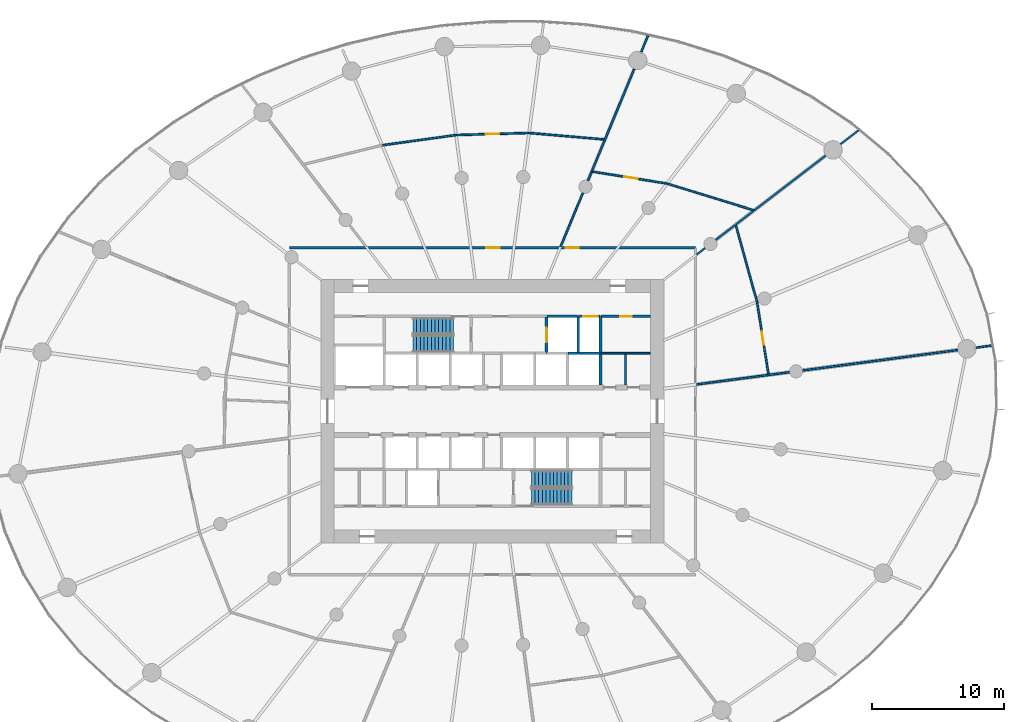
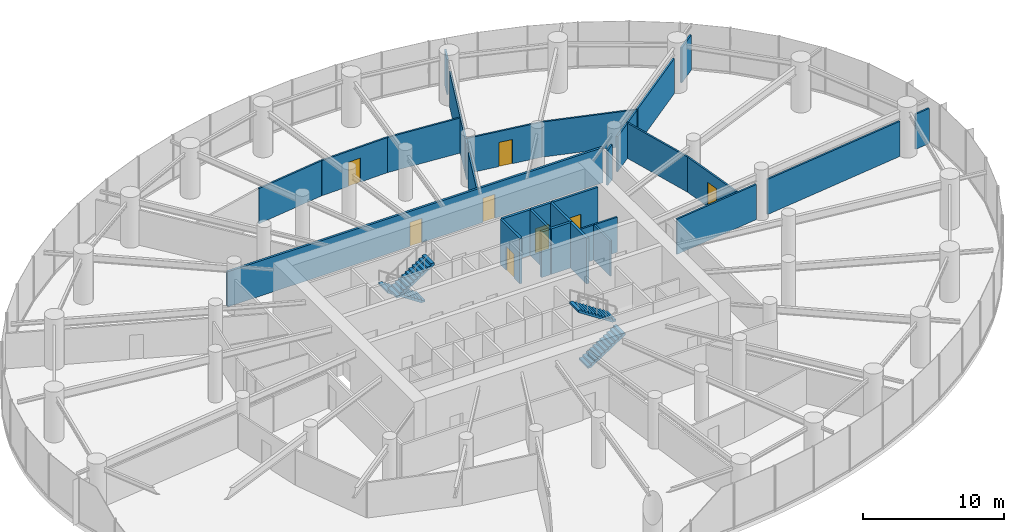
# One storey, part 14 of 17: 32 walls, 8 doors, 4 stair flights, 8 openings, 2 elements without a shape of their own.
"""IFC4 building model written with IfcOpenShell, lengths in metres."""

from ifc_helpers import new_model, si_unit, direction, frame, frame_2d, origin, place, context, subcontext, project, spatial, line, indexed_curve, rectangle, outline, extrude, source, transform, mapped, material, layer, layer_set, type_object, element, fill, aggregate, save


model = new_model("IFC4")

# Units and contexts
model_context = context("Model", 3, precision=1e-05, world=origin(), true_north=direction((0.0, 1.0)))
body_context = subcontext(model_context, "Body", "Model", "MODEL_VIEW")
ifc_project = project(units=[si_unit("LENGTHUNIT", "METRE"), si_unit("AREAUNIT", "SQUARE_METRE"), si_unit("VOLUMEUNIT", "CUBIC_METRE"), si_unit("PLANEANGLEUNIT", "RADIAN"), si_unit("MASSUNIT", "GRAM", prefix="KILO")], contexts=[model_context])

# Site, building, storey
site_placement = place(None, origin())
site = spatial("IfcSite", under=ifc_project, at=site_placement, CompositionType="ELEMENT")
building_placement = place(site_placement, origin())
building = spatial("IfcBuilding", under=site, at=building_placement, Name="Spindrift Exchange Tower", CompositionType="ELEMENT")
storey_placement = place(building_placement, frame((0.0, 0.0, 35.800048828125)))
storey = spatial("IfcBuildingStorey", under=building, at=storey_placement, Name="L08", CompositionType="ELEMENT", Elevation=35.800048828125)

# Wall, opening, door
ifc_material_1 = material(Name="Fire-rated plasterboard partition", Category="gypsum")
ifc_layer_1 = layer(ifc_material_1, 0.179931640625)
ifc_layer_set_1 = layer_set([ifc_layer_1], Name="W-CORR-180")
wall_type_1 = type_object("IfcWallType", Name="W-CORR-180", PredefinedType="PARTITIONING", material=ifc_layer_set_1)
wall_1_placement = place(storey_placement, frame((63.97998046875, 55.199951171875, 0.0), z_axis=(0.0, 0.0, 1.0), x_axis=(-1.0, 0.0, 0.0)))
wall_1 = element("IfcWall", 1, at=wall_1_placement, inside=storey, type_object=wall_type_1, Name="L08 Partition wall 64", PredefinedType="PARTITIONING", context=body_context, shape_type="SweptSolid", body=[
    extrude(rectangle(XDim=3.75, YDim=0.179931640625, at=frame_2d((1.875, 0.0))), origin(), (0.0, 0.0, 1.0), 3.949951171875),
])
opening_1_placement = place(wall_1_placement, frame((1.39990234375, 0.0, 0.0)))
opening_1 = element("IfcOpeningElement", 2, at=opening_1_placement, cuts=wall_1, Name="Opening L08-D47", PredefinedType="OPENING", context=body_context, shape_type="SweptSolid", body=[
    extrude(rectangle(XDim=0.89990234375, YDim=2.10009765625, at=frame_2d((0.449951171875, 1.050048828125))), frame((0.0, 0.099853515625, 0.0), z_axis=(0.0, -1.0, 0.0), x_axis=(1.0, 0.0, 0.0)), (0.0, 0.0, 1.0), 0.199951171875),
])
ifc_material_2 = material(Name="Steel access door", Category="steel")
door_type_1 = type_object("IfcDoorType", Name="DR-RISER-900", OperationType="NOTDEFINED", PredefinedType="DOOR", material=ifc_material_2)
shared_shape_1 = source(origin(), body_context, "Body", "SweptSolid", [
    extrude(rectangle(XDim=0.89990234375, YDim=2.10009765625, at=frame_2d((0.449951171875, 1.050048828125))), frame((0.0, 0.02490234375, 0.0), z_axis=(0.0, -1.0, 0.0), x_axis=(1.0, 0.0, 0.0)), (0.0, 0.0, 1.0), 0.050048828125),
])
door_1_placement = place(opening_1_placement, origin())
door_1 = element("IfcDoor", 3, at=door_1_placement, inside=storey, type_object=door_type_1, Name="L08 Riser door 47", OperationType="SINGLE_SWING_RIGHT", OverallHeight=2.10009765625, OverallWidth=0.89990234375, PredefinedType="DOOR", context=body_context, shape_type="MappedRepresentation", body=[
    mapped(shared_shape_1, transform((0.0, 0.0, 0.0), scale=1.0)),
])
fill(opening_1, door_1)

# Walls
ifc_layer_2 = layer(ifc_material_1, 0.139892578125)
ifc_layer_set_2 = layer_set([ifc_layer_2], Name="W-PART-140")
wall_type_2 = type_object("IfcWallType", Name="W-PART-140", PredefinedType="PARTITIONING", material=ifc_layer_set_2)
wall_2_placement = place(storey_placement, frame((75.533935546875, 51.098388671875, 0.0), z_axis=(0.0, 0.0, 1.0), x_axis=(0.991446586451, 0.130513088287, 0.0)))
element("IfcWall", 4, at=wall_2_placement, inside=storey, type_object=wall_type_2, Name="L08 Partition wall 66", PredefinedType="PARTITIONING", context=body_context, shape_type="SweptSolid", body=[
    extrude(rectangle(XDim=11.85986328125, YDim=0.139892578125, at=frame_2d((5.929931640625, 0.0))), origin(), (0.0, 0.0, 1.0), 3.050048828125),
])
wall_3_placement = place(storey_placement, frame((59.5341796875, 66.189453125, 0.0), z_axis=(0.0, 0.0, 1.0), x_axis=(0.382683346226, 0.923879568191, 0.0)))
element("IfcWall", 5, at=wall_3_placement, inside=storey, type_object=wall_type_2, Name="L08 Partition wall 72", PredefinedType="PARTITIONING", context=body_context, shape_type="SweptSolid", body=[
    extrude(rectangle(XDim=8.410888671875, YDim=0.139892578125, at=frame_2d((4.20556640625, 0.0))), origin(), (0.0, 0.0, 1.0), 3.050048828125),
])
wall_4_placement = place(storey_placement, frame((71.879150390625, 63.25390625, 0.0), z_axis=(0.0, 0.0, 1.0), x_axis=(0.793367765852, 0.60874262879, 0.0)))
element("IfcWall", 6, at=wall_4_placement, inside=storey, type_object=wall_type_2, Name="L08 Partition wall 76", PredefinedType="PARTITIONING", context=body_context, shape_type="SweptSolid", body=[
    extrude(rectangle(XDim=6.803466796875, YDim=0.139892578125, at=frame_2d((3.40185546875, 0.0))), origin(), (0.0, 0.0, 1.0), 3.050048828125),
])
wall_5_placement = place(storey_placement, frame((60.4658203125, 68.62109375, 0.0), z_axis=(0.0, 0.0, 1.0), x_axis=(-0.996319143807, 0.085721430714, 0.0)))
element("IfcWall", 7, at=wall_5_placement, inside=storey, type_object=wall_type_2, Name="L08 Partition wall 84", PredefinedType="PARTITIONING", context=body_context, shape_type="SweptSolid", body=[
    extrude(rectangle(XDim=5.70751953125, YDim=0.139892578125, at=frame_2d((2.853759765625, 0.0))), origin(), (0.0, 0.0, 1.0), 3.050048828125),
])
wall_6_placement = place(storey_placement, frame((49.241455078125, 68.952880859375, 0.0), z_axis=(0.0, 0.0, 1.0), x_axis=(-0.990610386305, -0.136715260835, 0.0)))
element("IfcWall", 8, at=wall_6_placement, inside=storey, type_object=wall_type_2, Name="L08 Partition wall 85", PredefinedType="PARTITIONING", context=body_context, shape_type="SweptSolid", body=[
    extrude(rectangle(XDim=5.623291015625, YDim=0.139892578125, at=frame_2d((2.8115234375, 0.0))), origin(), (0.0, 0.0, 1.0), 3.050048828125),
])

# Wall, opening, door
wall_7_placement = place(storey_placement, frame((49.271484375, 68.953857421875, 0.0), z_axis=(0.0, 0.0, 1.0), x_axis=(0.999597230245, 0.028379169928, 0.0)))
wall_7 = element("IfcWall", 9, at=wall_7_placement, inside=storey, type_object=wall_type_2, Name="L08 Partition wall 88", PredefinedType="PARTITIONING", context=body_context, shape_type="SweptSolid", body=[
    extrude(rectangle(XDim=5.47998046875, YDim=0.139892578125, at=frame_2d((2.739990234375, 0.0))), origin(), (0.0, 0.0, 1.0), 3.050048828125),
])
opening_2_placement = place(wall_7_placement, frame((2.22998046875, 0.0, 0.0)))
opening_2 = element("IfcOpeningElement", 10, at=opening_2_placement, cuts=wall_7, Name="Opening L08-D39", PredefinedType="OPENING", context=body_context, shape_type="SweptSolid", body=[
    extrude(rectangle(XDim=1.0, YDim=2.10009765625, at=frame_2d((0.5, 1.050048828125))), frame((0.0, 0.079833984375, 0.0), z_axis=(0.0, -1.0, 0.0), x_axis=(1.0, 0.0, 0.0)), (0.0, 0.0, 1.0), 0.159912109375),
])
ifc_material_3 = material(Name="Timber-core fire door", Category="wood")
door_type_2 = type_object("IfcDoorType", Name="DR-ROOM-1000", OperationType="NOTDEFINED", PredefinedType="DOOR", material=ifc_material_3)
shared_shape_2 = source(origin(), body_context, "Body", "SweptSolid", [
    extrude(rectangle(XDim=1.0, YDim=2.10009765625, at=frame_2d((0.5, 1.050048828125))), frame((0.0, 0.02490234375, 0.0), z_axis=(0.0, -1.0, 0.0), x_axis=(1.0, 0.0, 0.0)), (0.0, 0.0, 1.0), 0.050048828125),
])
door_2_placement = place(opening_2_placement, origin())
door_2 = element("IfcDoor", 11, at=door_2_placement, inside=storey, type_object=door_type_2, Name="L08 Door 39", OperationType="SINGLE_SWING_RIGHT", OverallHeight=2.10009765625, OverallWidth=1.0, PredefinedType="DOOR", context=body_context, shape_type="MappedRepresentation", body=[
    mapped(shared_shape_2, transform((0.0, 0.0, 0.0), scale=1.0)),
])
fill(opening_2, door_2)

# Walls
wall_8_placement = place(storey_placement, frame((62.10009765625, 50.010009765625, 0.0), z_axis=(0.0, 0.0, 1.0), x_axis=(0.0, 1.0, 0.0)))
element("IfcWall", 12, at=wall_8_placement, inside=storey, type_object=wall_type_2, Name="L08 Partition wall 100", PredefinedType="PARTITIONING", context=body_context, shape_type="SweptSolid", body=[
    extrude(rectangle(XDim=2.389892578125, YDim=0.139892578125, at=frame_2d((1.19482421875, 0.0))), origin(), (0.0, 0.0, 1.0), 3.050048828125),
])
wall_9_placement = place(storey_placement, frame((62.070068359375, 52.39990234375, 0.0), z_axis=(0.0, 0.0, 1.0), x_axis=(-1.0, 0.0, 0.0)))
element("IfcWall", 13, at=wall_9_placement, inside=storey, type_object=wall_type_2, Name="L08 Partition wall 109", PredefinedType="PARTITIONING", context=body_context, shape_type="SweptSolid", body=[
    extrude(rectangle(XDim=1.840087890625, YDim=0.139892578125, at=frame_2d((0.919921875, 0.0))), origin(), (0.0, 0.0, 1.0), 3.050048828125),
])
wall_10_placement = place(storey_placement, frame((63.97998046875, 52.39990234375, 0.0), z_axis=(0.0, 0.0, 1.0), x_axis=(-1.0, 0.0, 0.0)))
element("IfcWall", 14, at=wall_10_placement, inside=storey, type_object=wall_type_2, Name="L08 Partition wall 112", PredefinedType="PARTITIONING", context=body_context, shape_type="SweptSolid", body=[
    extrude(rectangle(XDim=1.85009765625, YDim=0.139892578125, at=frame_2d((0.925048828125, 0.0))), origin(), (0.0, 0.0, 1.0), 3.050048828125),
])
wall_11_placement = place(storey_placement, frame((78.394287109375, 68.253173828125, 0.0), z_axis=(0.0, 0.0, 1.0), x_axis=(0.793373884705, 0.608734654071, 0.0)))
element("IfcWall", 15, at=wall_11_placement, inside=storey, type_object=wall_type_2, Name="L08 Partition wall 114", PredefinedType="PARTITIONING", context=body_context, shape_type="SweptSolid", body=[
    extrude(rectangle(XDim=1.741455078125, YDim=0.139892578125, at=frame_2d((0.87060546875, 0.0))), origin(), (0.0, 0.0, 1.0), 3.050048828125),
])
wall_12_placement = place(storey_placement, frame((63.29248046875, 75.2626953125, 0.0), z_axis=(0.0, 0.0, 1.0), x_axis=(0.382814774468, 0.923825117892, 0.0)))
element("IfcWall", 16, at=wall_12_placement, inside=storey, type_object=wall_type_2, Name="L08 Partition wall 116", PredefinedType="PARTITIONING", context=body_context, shape_type="SweptSolid", body=[
    extrude(rectangle(XDim=1.319580078125, YDim=0.139892578125, at=frame_2d((0.65966796875, 0.0))), origin(), (0.0, 0.0, 1.0), 3.050048828125),
])
wall_13_placement = place(storey_placement, frame((88.688720703125, 52.830078125, 0.0), z_axis=(0.0, 0.0, 1.0), x_axis=(0.991431129538, 0.130630453508, 0.0)))
element("IfcWall", 17, at=wall_13_placement, inside=storey, type_object=wall_type_2, Name="L08 Partition wall 117", PredefinedType="PARTITIONING", context=body_context, shape_type="SweptSolid", body=[
    extrude(rectangle(XDim=1.220458984375, YDim=0.139892578125, at=frame_2d((0.6103515625, 0.0))), origin(), (0.0, 0.0, 1.0), 3.050048828125),
])
ifc_layer_3 = layer(ifc_material_1, 0.139892578125)
ifc_layer_set_3 = layer_set([ifc_layer_3], Name="W-PLANT-140")
wall_type_3 = type_object("IfcWallType", Name="W-PLANT-140", PredefinedType="PARTITIONING", material=ifc_layer_set_3)
wall_14_placement = place(storey_placement, frame((74.53369140625, 50.966552734375, 0.0), z_axis=(0.0, 0.0, 1.0), x_axis=(-0.99144622305, -0.130515848849, 0.0)))
element("IfcWall", 18, at=wall_14_placement, inside=storey, type_object=wall_type_3, Name="L08 Partition wall 73", PredefinedType="PARTITIONING", context=body_context, shape_type="SweptSolid", body=[
    extrude(rectangle(XDim=7.1044921875, YDim=0.139892578125, at=frame_2d((3.55224609375, 0.0))), origin(), (0.0, 0.0, 1.0), 3.050048828125),
])
wall_15_placement = place(storey_placement, frame((71.85546875, 63.235595703125, 0.0), z_axis=(0.0, 0.0, 1.0), x_axis=(-0.955628382182, 0.294574939816, 0.0)))
element("IfcWall", 19, at=wall_15_placement, inside=storey, type_object=wall_type_3, Name="L08 Partition wall 74", PredefinedType="PARTITIONING", context=body_context, shape_type="SweptSolid", body=[
    extrude(rectangle(XDim=6.90966796875, YDim=0.139892578125, at=frame_2d((3.454833984375, 0.0))), origin(), (0.0, 0.0, 1.0), 3.050048828125),
])
wall_16_placement = place(storey_placement, frame((72.0693359375, 56.31298828125, 0.0), z_axis=(0.0, 0.0, 1.0), x_axis=(-0.26694408294, 0.963712019528, 0.0)))
element("IfcWall", 20, at=wall_16_placement, inside=storey, type_object=wall_type_3, Name="L08 Partition wall 80", PredefinedType="PARTITIONING", context=body_context, shape_type="SweptSolid", body=[
    extrude(rectangle(XDim=6.064453125, YDim=0.139892578125, at=frame_2d((3.0322265625, 0.0))), origin(), (0.0, 0.0, 1.0), 3.050048828125),
])

# Wall, opening, door
wall_17_placement = place(storey_placement, frame((59.605224609375, 66.177978515625, 0.0), z_axis=(0.0, 0.0, 1.0), x_axis=(0.987350770866, -0.158551112488, 0.0)))
wall_17 = element("IfcWall", 21, at=wall_17_placement, inside=storey, type_object=wall_type_3, Name="L08 Partition wall 82", PredefinedType="PARTITIONING", context=body_context, shape_type="SweptSolid", body=[
    extrude(rectangle(XDim=5.689697265625, YDim=0.139892578125, at=frame_2d((2.8447265625, 0.0))), origin(), (0.0, 0.0, 1.0), 3.050048828125),
])
opening_3_placement = place(wall_17_placement, frame((2.439697265625, 0.0, 0.0)))
opening_3 = element("IfcOpeningElement", 22, at=opening_3_placement, cuts=wall_17, Name="Opening L08-D37", PredefinedType="OPENING", context=body_context, shape_type="SweptSolid", body=[
    extrude(rectangle(XDim=1.0, YDim=2.10009765625, at=frame_2d((0.5, 1.050048828125))), frame((0.0, 0.079833984375, 0.0), z_axis=(0.0, -1.0, 0.0), x_axis=(1.0, 0.0, 0.0)), (0.0, 0.0, 1.0), 0.159912109375),
])
door_3_placement = place(opening_3_placement, origin())
door_3 = element("IfcDoor", 23, at=door_3_placement, inside=storey, type_object=door_type_2, Name="L08 Door 37", OperationType="SINGLE_SWING_RIGHT", OverallHeight=2.10009765625, OverallWidth=1.0, PredefinedType="DOOR", context=body_context, shape_type="MappedRepresentation", body=[
    mapped(shared_shape_2, transform((0.0, 0.0, 0.0), scale=1.0)),
])
fill(opening_3, door_3)

wall_18_placement = place(storey_placement, frame((72.073974609375, 56.283447265625, 0.0), z_axis=(0.0, 0.0, 1.0), x_axis=(0.155785554146, -0.987790899492, 0.0)))
wall_18 = element("IfcWall", 24, at=wall_18_placement, inside=storey, type_object=wall_type_3, Name="L08 Partition wall 86", PredefinedType="PARTITIONING", context=body_context, shape_type="SweptSolid", body=[
    extrude(rectangle(XDim=5.524169921875, YDim=0.139892578125, at=frame_2d((2.76220703125, 0.0))), origin(), (0.0, 0.0, 1.0), 3.050048828125),
])
opening_4_placement = place(wall_18_placement, frame((2.274169921875, 0.0, 0.0)))
opening_4 = element("IfcOpeningElement", 25, at=opening_4_placement, cuts=wall_18, Name="Opening L08-D35", PredefinedType="OPENING", context=body_context, shape_type="SweptSolid", body=[
    extrude(rectangle(XDim=1.0, YDim=2.10009765625, at=frame_2d((0.5, 1.050048828125))), frame((0.0, 0.079833984375, 0.0), z_axis=(0.0, -1.0, 0.0), x_axis=(1.0, 0.0, 0.0)), (0.0, 0.0, 1.0), 0.159912109375),
])
door_4_placement = place(opening_4_placement, origin())
door_4 = element("IfcDoor", 26, at=door_4_placement, inside=storey, type_object=door_type_2, Name="L08 Door 35", OperationType="SINGLE_SWING_RIGHT", OverallHeight=2.10009765625, OverallWidth=1.0, PredefinedType="DOOR", context=body_context, shape_type="MappedRepresentation", body=[
    mapped(shared_shape_2, transform((0.0, 0.0, 0.0), scale=1.0)),
])
fill(opening_4, door_4)

# Walls
wall_19_placement = place(storey_placement, frame((57.173583984375, 60.489990234375, 0.0), z_axis=(0.0, 0.0, 1.0), x_axis=(0.382672831764, 0.923883923353, 0.0)))
element("IfcWall", 27, at=wall_19_placement, inside=storey, type_object=wall_type_3, Name="L08 Partition wall 94", PredefinedType="PARTITIONING", context=body_context, shape_type="SweptSolid", body=[
    extrude(rectangle(XDim=4.410400390625, YDim=0.139892578125, at=frame_2d((2.205078125, 0.0))), origin(), (0.0, 0.0, 1.0), 3.050048828125),
])
wall_20_placement = place(storey_placement, frame((59.247802734375, 65.497802734375, 0.0), z_axis=(0.0, 0.0, 1.0), x_axis=(0.38261188646, 0.92390916455, 0.0)))
element("IfcWall", 28, at=wall_20_placement, inside=storey, type_object=wall_type_3, Name="L08 Partition wall 95", PredefinedType="PARTITIONING", context=body_context, shape_type="SweptSolid", body=[
    extrude(rectangle(XDim=0.718505859375, YDim=0.139892578125, at=frame_2d((0.359375, 0.0))), origin(), (0.0, 0.0, 1.0), 3.050048828125),
])
wall_21_placement = place(storey_placement, frame((68.93505859375, 60.99462890625, 0.0), z_axis=(0.0, 0.0, 1.0), x_axis=(0.793340711993, 0.608777886174, 0.0)))
element("IfcWall", 29, at=wall_21_placement, inside=storey, type_object=wall_type_3, Name="L08 Partition wall 106", PredefinedType="PARTITIONING", context=body_context, shape_type="SweptSolid", body=[
    extrude(rectangle(XDim=1.834716796875, YDim=0.139892578125, at=frame_2d((0.91748046875, 0.0))), origin(), (0.0, 0.0, 1.0), 3.050048828125),
])
wall_22_placement = place(storey_placement, frame((70.474365234375, 62.17578125, 0.0), z_axis=(0.0, 0.0, 1.0), x_axis=(0.793330865264, 0.608790717915, 0.0)))
element("IfcWall", 30, at=wall_22_placement, inside=storey, type_object=wall_type_3, Name="L08 Partition wall 113", PredefinedType="PARTITIONING", context=body_context, shape_type="SweptSolid", body=[
    extrude(rectangle(XDim=1.655029296875, YDim=0.139892578125, at=frame_2d((0.82763671875, 0.0))), origin(), (0.0, 0.0, 1.0), 3.050048828125),
])
wall_23_placement = place(storey_placement, frame((67.489990234375, 59.885986328125, 0.0), z_axis=(0.0, 0.0, 1.0), x_axis=(0.793316076519, 0.608809989025, 0.0)))
element("IfcWall", 31, at=wall_23_placement, inside=storey, type_object=wall_type_3, Name="L08 Partition wall 119", PredefinedType="PARTITIONING", context=body_context, shape_type="SweptSolid", body=[
    extrude(rectangle(XDim=0.8125, YDim=0.139892578125, at=frame_2d((0.40625, 0.0))), origin(), (0.0, 0.0, 1.0), 3.050048828125),
])

# Wall, openings, doors
ifc_layer_4 = layer(ifc_material_1, 0.179931640625)
ifc_layer_set_4 = layer_set([ifc_layer_4], Name="W-PLANT-180")
wall_type_4 = type_object("IfcWallType", Name="W-PLANT-180", PredefinedType="PARTITIONING", material=ifc_layer_set_4)
wall_24_placement = place(storey_placement, frame((36.60009765625, 60.39990234375, 0.0), z_axis=(0.0, 0.0, 1.0), x_axis=(1.0, 0.0, 0.0)))
wall_24 = element("IfcWall", 32, at=wall_24_placement, inside=storey, type_object=wall_type_4, Name="L08 Partition wall 58", PredefinedType="PARTITIONING", context=body_context, shape_type="SweptSolid", body=[
    extrude(rectangle(XDim=30.7998046875, YDim=0.179931640625, at=frame_2d((15.39990234375, 0.0))), origin(), (0.0, 0.0, 1.0), 3.050048828125),
])
opening_5_placement = place(wall_24_placement, frame((20.949951171875, 0.0, 0.0)))
opening_5 = element("IfcOpeningElement", 33, at=opening_5_placement, cuts=wall_24, Name="Opening L08-D36", PredefinedType="OPENING", context=body_context, shape_type="SweptSolid", body=[
    extrude(rectangle(XDim=1.0, YDim=2.10009765625, at=frame_2d((0.5, 1.050048828125))), frame((0.0, 0.099853515625, 0.0), z_axis=(0.0, -1.0, 0.0), x_axis=(1.0, 0.0, 0.0)), (0.0, 0.0, 1.0), 0.199951171875),
])
opening_6_placement = place(wall_24_placement, frame((14.949951171875, 0.0, 0.0)))
opening_6 = element("IfcOpeningElement", 34, at=opening_6_placement, cuts=wall_24, Name="Opening L08-D38", PredefinedType="OPENING", context=body_context, shape_type="SweptSolid", body=[
    extrude(rectangle(XDim=1.0, YDim=2.10009765625, at=frame_2d((0.5, 1.050048828125))), frame((0.0, 0.099853515625, 0.0), z_axis=(0.0, -1.0, 0.0), x_axis=(1.0, 0.0, 0.0)), (0.0, 0.0, 1.0), 0.199951171875),
])
door_5_placement = place(opening_5_placement, origin())
door_5 = element("IfcDoor", 35, at=door_5_placement, inside=storey, type_object=door_type_2, Name="L08 Door 36", OperationType="SINGLE_SWING_LEFT", OverallHeight=2.10009765625, OverallWidth=1.0, PredefinedType="DOOR", context=body_context, shape_type="MappedRepresentation", body=[
    mapped(shared_shape_2, transform((0.0, 0.0, 0.0), scale=1.0)),
])
fill(opening_5, door_5)
door_6_placement = place(opening_6_placement, origin())
door_6 = element("IfcDoor", 36, at=door_6_placement, inside=storey, type_object=door_type_2, Name="L08 Door 38", OperationType="SINGLE_SWING_LEFT", OverallHeight=2.10009765625, OverallWidth=1.0, PredefinedType="DOOR", context=body_context, shape_type="MappedRepresentation", body=[
    mapped(shared_shape_2, transform((0.0, 0.0, 0.0), scale=1.0)),
])
fill(opening_6, door_6)

# Wall, opening, door
ifc_material_4 = material(Name="Concrete 40 MPa", Category="concrete")
ifc_layer_5 = layer(ifc_material_4, 0.199951171875)
ifc_layer_set_5 = layer_set([ifc_layer_5], Name="W-SHAFT-200")
wall_type_5 = type_object("IfcWallType", Name="W-SHAFT-200", PredefinedType="SOLIDWALL", material=ifc_layer_set_5)
wall_25_placement = place(storey_placement, frame((56.10009765625, 55.169921875, 0.0), z_axis=(0.0, 0.0, 1.0), x_axis=(0.0, -1.0, 0.0)))
wall_25 = element("IfcWall", 37, at=wall_25_placement, inside=storey, type_object=wall_type_5, Name="L08 Shaft wall 12", PredefinedType="SOLIDWALL", context=body_context, shape_type="SweptSolid", body=[
    extrude(rectangle(XDim=2.77001953125, YDim=0.199951171875, at=frame_2d((1.385009765625, 0.0))), origin(), (0.0, 0.0, 1.0), 3.949951171875),
])
opening_7_placement = place(wall_25_placement, frame((0.820068359375, 0.0, 0.0)))
opening_7 = element("IfcOpeningElement", 38, at=opening_7_placement, cuts=wall_25, Name="Opening L08-D9", PredefinedType="OPENING", context=body_context, shape_type="SweptSolid", body=[
    extrude(rectangle(XDim=1.10009765625, YDim=2.10009765625, at=frame_2d((0.550048828125, 1.050048828125))), frame((0.0, 0.10986328125, 0.0), z_axis=(0.0, -1.0, 0.0), x_axis=(1.0, 0.0, 0.0)), (0.0, 0.0, 1.0), 0.219970703125),
])
ifc_material_5 = material(Name="Stainless steel landing door", Category="steel")
door_type_3 = type_object("IfcDoorType", Name="DR-LANDING-1100-SL", OperationType="DOUBLE_DOOR_SLIDING", PredefinedType="USERDEFINED", material=ifc_material_5)
shared_shape_3 = source(origin(), body_context, "Body", "SweptSolid", [
    extrude(rectangle(XDim=1.10009765625, YDim=2.10009765625, at=frame_2d((0.550048828125, 1.050048828125))), frame((0.0, 0.02490234375, 0.0), z_axis=(0.0, -1.0, 0.0), x_axis=(1.0, 0.0, 0.0)), (0.0, 0.0, 1.0), 0.050048828125),
])
door_7_placement = place(opening_7_placement, origin())
door_7 = element("IfcDoor", 39, at=door_7_placement, inside=storey, type_object=door_type_3, Name="L08 Lift landing door 9", ObjectType="LANDING DOOR", OperationType="DOUBLE_DOOR_SLIDING", OverallHeight=2.10009765625, OverallWidth=1.10009765625, PredefinedType="USERDEFINED", context=body_context, shape_type="MappedRepresentation", body=[
    mapped(shared_shape_3, transform((0.0, 0.0, 0.0), scale=1.0)),
])
fill(opening_7, door_7)

# Walls
for number, where, z_axis, x_axis, name in (
    (40, (58.5, 52.39990234375, 0.0), (0.0, 0.0, 1.0), (0.0, 1.0, 0.0), "L08 Shaft wall 13"),
    (41, (60.199951171875, 52.39990234375, 0.0), (0.0, 0.0, 1.0), (0.0, 1.0, 0.0), "L08 Shaft wall 14"),
):
    element("IfcWall", number, at=place(storey_placement, frame(where, z_axis=z_axis, x_axis=x_axis)), inside=storey, type_object=wall_type_5, Name=name, PredefinedType="SOLIDWALL", context=body_context, shape_type="SweptSolid", body=[
        extrude(rectangle(XDim=2.800048828125, YDim=0.199951171875, at=frame_2d((1.39990234375, 0.0))), origin(), (0.0, 0.0, 1.0), 3.949951171875),
    ])
wall_26_placement = place(storey_placement, frame((58.469970703125, 55.199951171875, 0.0), z_axis=(0.0, 0.0, 1.0), x_axis=(-1.0, 0.0, 0.0)))
element("IfcWall", 42, at=wall_26_placement, inside=storey, type_object=wall_type_5, Name="L08 Shaft wall 22", PredefinedType="SOLIDWALL", context=body_context, shape_type="SweptSolid", body=[
    extrude(rectangle(XDim=2.340087890625, YDim=0.199951171875, at=frame_2d((1.169921875, 0.0))), origin(), (0.0, 0.0, 1.0), 3.949951171875),
])
wall_27_placement = place(storey_placement, frame((60.199951171875, 50.010009765625, 0.0), z_axis=(0.0, 0.0, 1.0), x_axis=(0.0, 1.0, 0.0)))
element("IfcWall", 43, at=wall_27_placement, inside=storey, type_object=wall_type_5, Name="L08 Shaft wall 38", PredefinedType="SOLIDWALL", context=body_context, shape_type="SweptSolid", body=[
    extrude(rectangle(XDim=2.360107421875, YDim=0.199951171875, at=frame_2d((1.18017578125, 0.0))), origin(), (0.0, 0.0, 1.0), 3.949951171875),
])
wall_28_placement = place(storey_placement, frame((60.169921875, 52.39990234375, 0.0), z_axis=(0.0, 0.0, 1.0), x_axis=(-1.0, 0.0, 0.0)))
element("IfcWall", 44, at=wall_28_placement, inside=storey, type_object=wall_type_5, Name="L08 Shaft wall 42", PredefinedType="SOLIDWALL", context=body_context, shape_type="SweptSolid", body=[
    extrude(rectangle(XDim=1.639892578125, YDim=0.199951171875, at=frame_2d((0.81982421875, 0.0))), origin(), (0.0, 0.0, 1.0), 3.949951171875),
])

# Wall, opening, door
wall_29_placement = place(storey_placement, frame((60.169921875, 55.199951171875, 0.0), z_axis=(0.0, 0.0, 1.0), x_axis=(-1.0, 0.0, 0.0)))
wall_29 = element("IfcWall", 45, at=wall_29_placement, inside=storey, type_object=wall_type_5, Name="L08 Shaft wall 43", PredefinedType="SOLIDWALL", context=body_context, shape_type="SweptSolid", body=[
    extrude(rectangle(XDim=1.639892578125, YDim=0.199951171875, at=frame_2d((0.81982421875, 0.0))), origin(), (0.0, 0.0, 1.0), 3.949951171875),
])
opening_8_placement = place(wall_29_placement, frame((0.169921875, 0.0, 0.0)))
opening_8 = element("IfcOpeningElement", 46, at=opening_8_placement, cuts=wall_29, Name="Opening L08-D11", PredefinedType="OPENING", context=body_context, shape_type="SweptSolid", body=[
    extrude(rectangle(XDim=1.10009765625, YDim=2.10009765625, at=frame_2d((0.550048828125, 1.050048828125))), frame((0.0, 0.10986328125, 0.0), z_axis=(0.0, -1.0, 0.0), x_axis=(1.0, 0.0, 0.0)), (0.0, 0.0, 1.0), 0.219970703125),
])
door_8_placement = place(opening_8_placement, origin())
door_8 = element("IfcDoor", 47, at=door_8_placement, inside=storey, type_object=door_type_3, Name="L08 Lift landing door 11", ObjectType="LANDING DOOR", OperationType="DOUBLE_DOOR_SLIDING", OverallHeight=2.10009765625, OverallWidth=1.10009765625, PredefinedType="USERDEFINED", context=body_context, shape_type="MappedRepresentation", body=[
    mapped(shared_shape_3, transform((0.0, 0.0, 0.0), scale=1.0)),
])
fill(opening_8, door_8)

# Wall
wall_30_placement = place(storey_placement, frame((58.469970703125, 52.39990234375, 0.0), z_axis=(0.0, 0.0, 1.0), x_axis=(-1.0, 0.0, 0.0)))
element("IfcWall", 48, at=wall_30_placement, inside=storey, type_object=wall_type_5, Name="L08 Shaft wall 55", PredefinedType="SOLIDWALL", context=body_context, shape_type="SweptSolid", body=[
    extrude(rectangle(XDim=0.739990234375, YDim=0.199951171875, at=frame_2d((0.3701171875, 0.0))), origin(), (0.0, 0.0, 1.0), 3.949951171875),
])

# Stair, stair flights
ifc_material_6 = material(Name="Concrete 50 MPa", Category="concrete")
stair_type = type_object("IfcStairType", Name="ST-1250-R183", PredefinedType="HALF_TURN_STAIR", material=ifc_material_6)
stair_1_placement = place(storey_placement, origin())
stair_1 = element("IfcStair", 49, at=stair_1_placement, inside=storey, type_object=stair_type, Name="L08 Exit stair ST1", PredefinedType="HALF_TURN_STAIR")
stair_flight_type = type_object("IfcStairFlightType", Name="STF-1250-R183", PredefinedType="STRAIGHT", material=ifc_material_6)
stair_flight_1_placement = place(storey_placement, frame((49.050048828125, 54.47509765625, 0.0), z_axis=(0.0, 0.0, 1.0), x_axis=(-1.0, 0.0, 0.0)))
stair_flight_1 = element("IfcStairFlight", 50, at=stair_flight_1_placement, type_object=stair_flight_type, Name="ST1 flight 1", NumberOfRisers=12, NumberOfTreads=11, PredefinedType="STRAIGHT", RiserHeight=0.183333333, TreadLength=0.28, context=body_context, shape_type="SweptSolid", body=[
    extrude(outline(indexed_curve([(0.0, 0.0), (0.0, 0.18359375), (0.2802734375, 0.18359375), (0.2802734375, 0.3662109375), (0.5595703125, 0.3662109375), (0.5595703125, 0.5498046875), (0.83984375, 0.5498046875), (0.83984375, 0.7333984375), (1.1201171875, 0.7333984375), (1.1201171875, 0.9169921875), (1.400390625, 0.9169921875), (1.400390625, 1.099609375), (1.6796875, 1.099609375), (1.6796875, 1.283203125), (1.9599609375, 1.283203125), (1.9599609375, 1.466796875), (2.240234375, 1.466796875), (2.240234375, 1.650390625), (2.51953125, 1.650390625), (2.51953125, 1.8330078125), (2.7998046875, 1.8330078125), (2.7998046875, 2.0166015625), (3.080078125, 2.0166015625), (3.080078125, 2.2001953125), (3.080078125, 1.837890625), (0.2734375, 0.0)], segments=[line(1, 2, 3, 4, 5, 6, 7, 8, 9, 10, 11, 12, 13, 14, 15, 16, 17, 18, 19, 20, 21, 22, 23, 24, 25, 26, 1)], self_intersect=False)), frame((0.0, 0.625, 0.0), z_axis=(0.0, -1.0, 0.0), x_axis=(1.0, 0.0, 0.0)), (0.0, 0.0, 1.0), 1.25),
])
stair_flight_2_placement = place(storey_placement, frame((45.969970703125, 53.125, 2.199951171875), z_axis=(0.0, 0.0, 1.0), x_axis=(1.0, 0.0, 0.0)))
stair_flight_2 = element("IfcStairFlight", 51, at=stair_flight_2_placement, type_object=stair_flight_type, Name="ST1 flight 2", NumberOfRisers=12, NumberOfTreads=11, PredefinedType="STRAIGHT", RiserHeight=0.183333333, TreadLength=0.28, context=body_context, shape_type="SweptSolid", body=[
    extrude(outline(indexed_curve([(0.0, 0.0), (0.0, 0.18359375), (0.2802734375, 0.18359375), (0.2802734375, 0.3662109375), (0.5595703125, 0.3662109375), (0.5595703125, 0.5498046875), (0.83984375, 0.5498046875), (0.83984375, 0.7333984375), (1.1201171875, 0.7333984375), (1.1201171875, 0.9169921875), (1.400390625, 0.9169921875), (1.400390625, 1.099609375), (1.6796875, 1.099609375), (1.6796875, 1.283203125), (1.9599609375, 1.283203125), (1.9599609375, 1.466796875), (2.240234375, 1.466796875), (2.240234375, 1.650390625), (2.51953125, 1.650390625), (2.51953125, 1.8330078125), (2.7998046875, 1.8330078125), (2.7998046875, 2.0166015625), (3.080078125, 2.0166015625), (3.080078125, 2.2001953125), (3.080078125, 1.837890625), (0.2734375, 0.0)], segments=[line(1, 2, 3, 4, 5, 6, 7, 8, 9, 10, 11, 12, 13, 14, 15, 16, 17, 18, 19, 20, 21, 22, 23, 24, 25, 26, 1)], self_intersect=False)), frame((0.0, 0.625, 0.0), z_axis=(0.0, -1.0, 0.0), x_axis=(1.0, 0.0, 0.0)), (0.0, 0.0, 1.0), 1.25),
])
aggregate(stair_1, [stair_flight_1, stair_flight_2])

stair_2_placement = place(storey_placement, origin())
stair_2 = element("IfcStair", 52, at=stair_2_placement, inside=storey, type_object=stair_type, Name="L08 Exit stair ST2", PredefinedType="HALF_TURN_STAIR")
stair_flight_3_placement = place(storey_placement, frame((54.949951171875, 41.52490234375, 0.0), z_axis=(0.0, 0.0, 1.0), x_axis=(1.0, 0.0, 0.0)))
stair_flight_3 = element("IfcStairFlight", 53, at=stair_flight_3_placement, type_object=stair_flight_type, Name="ST2 flight 1", NumberOfRisers=12, NumberOfTreads=11, PredefinedType="STRAIGHT", RiserHeight=0.183333333, TreadLength=0.28, context=body_context, shape_type="SweptSolid", body=[
    extrude(outline(indexed_curve([(0.0, 0.0), (0.0, 0.18359375), (0.2802734375, 0.18359375), (0.2802734375, 0.3662109375), (0.5595703125, 0.3662109375), (0.5595703125, 0.5498046875), (0.83984375, 0.5498046875), (0.83984375, 0.7333984375), (1.1201171875, 0.7333984375), (1.1201171875, 0.9169921875), (1.400390625, 0.9169921875), (1.400390625, 1.099609375), (1.6796875, 1.099609375), (1.6796875, 1.283203125), (1.9599609375, 1.283203125), (1.9599609375, 1.466796875), (2.240234375, 1.466796875), (2.240234375, 1.650390625), (2.51953125, 1.650390625), (2.51953125, 1.8330078125), (2.7998046875, 1.8330078125), (2.7998046875, 2.0166015625), (3.080078125, 2.0166015625), (3.080078125, 2.2001953125), (3.080078125, 1.837890625), (0.2734375, 0.0)], segments=[line(1, 2, 3, 4, 5, 6, 7, 8, 9, 10, 11, 12, 13, 14, 15, 16, 17, 18, 19, 20, 21, 22, 23, 24, 25, 26, 1)], self_intersect=False)), frame((0.0, 0.625, 0.0), z_axis=(0.0, -1.0, 0.0), x_axis=(1.0, 0.0, 0.0)), (0.0, 0.0, 1.0), 1.25),
])
stair_flight_4_placement = place(storey_placement, frame((58.030029296875, 42.875, 2.199951171875), z_axis=(0.0, 0.0, 1.0), x_axis=(-1.0, 0.0, 0.0)))
stair_flight_4 = element("IfcStairFlight", 54, at=stair_flight_4_placement, type_object=stair_flight_type, Name="ST2 flight 2", NumberOfRisers=12, NumberOfTreads=11, PredefinedType="STRAIGHT", RiserHeight=0.183333333, TreadLength=0.28, context=body_context, shape_type="SweptSolid", body=[
    extrude(outline(indexed_curve([(0.0, 0.0), (0.0, 0.18359375), (0.2802734375, 0.18359375), (0.2802734375, 0.3662109375), (0.5595703125, 0.3662109375), (0.5595703125, 0.5498046875), (0.83984375, 0.5498046875), (0.83984375, 0.7333984375), (1.1201171875, 0.7333984375), (1.1201171875, 0.9169921875), (1.400390625, 0.9169921875), (1.400390625, 1.099609375), (1.6796875, 1.099609375), (1.6796875, 1.283203125), (1.9599609375, 1.283203125), (1.9599609375, 1.466796875), (2.240234375, 1.466796875), (2.240234375, 1.650390625), (2.51953125, 1.650390625), (2.51953125, 1.8330078125), (2.7998046875, 1.8330078125), (2.7998046875, 2.0166015625), (3.080078125, 2.0166015625), (3.080078125, 2.2001953125), (3.080078125, 1.837890625), (0.2734375, 0.0)], segments=[line(1, 2, 3, 4, 5, 6, 7, 8, 9, 10, 11, 12, 13, 14, 15, 16, 17, 18, 19, 20, 21, 22, 23, 24, 25, 26, 1)], self_intersect=False)), frame((0.0, 0.625, 0.0), z_axis=(0.0, -1.0, 0.0), x_axis=(1.0, 0.0, 0.0)), (0.0, 0.0, 1.0), 1.25),
])
aggregate(stair_2, [stair_flight_3, stair_flight_4])

save(model, "model.ifc")
